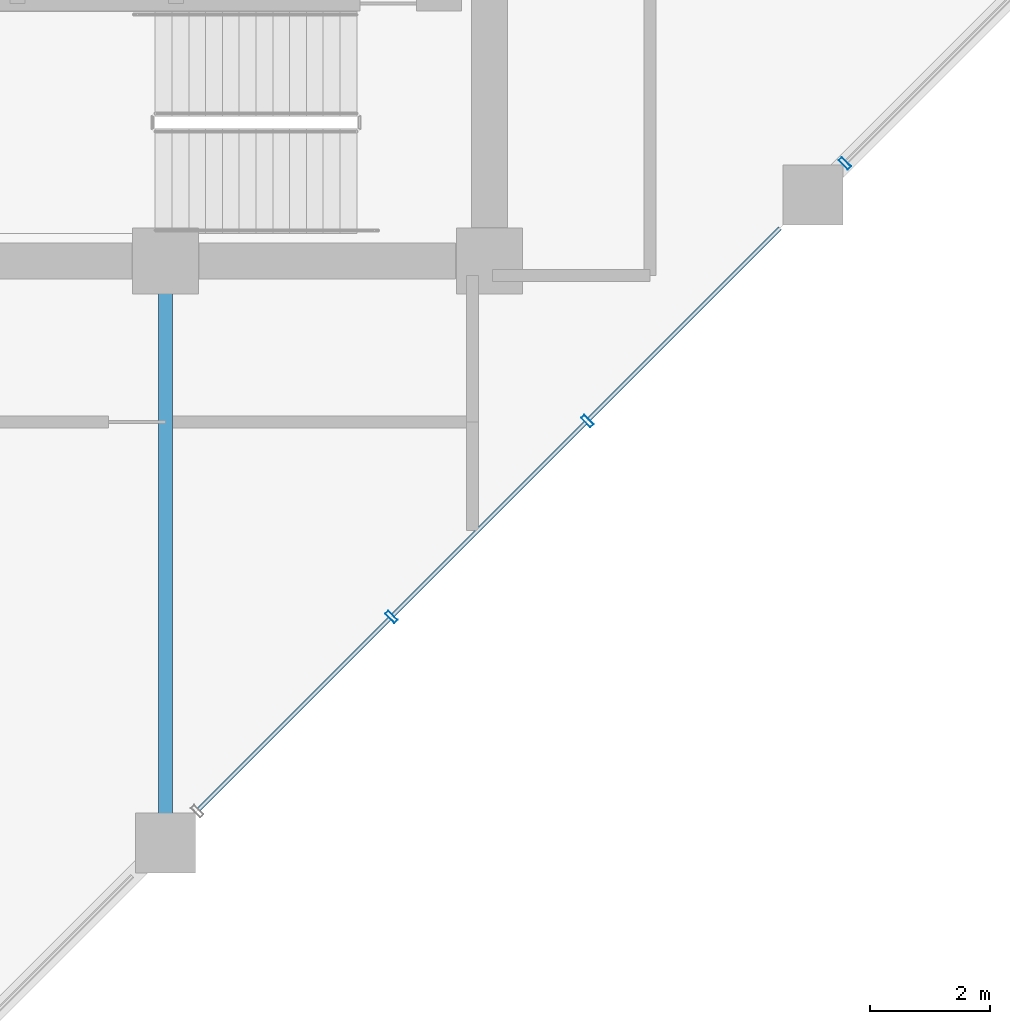
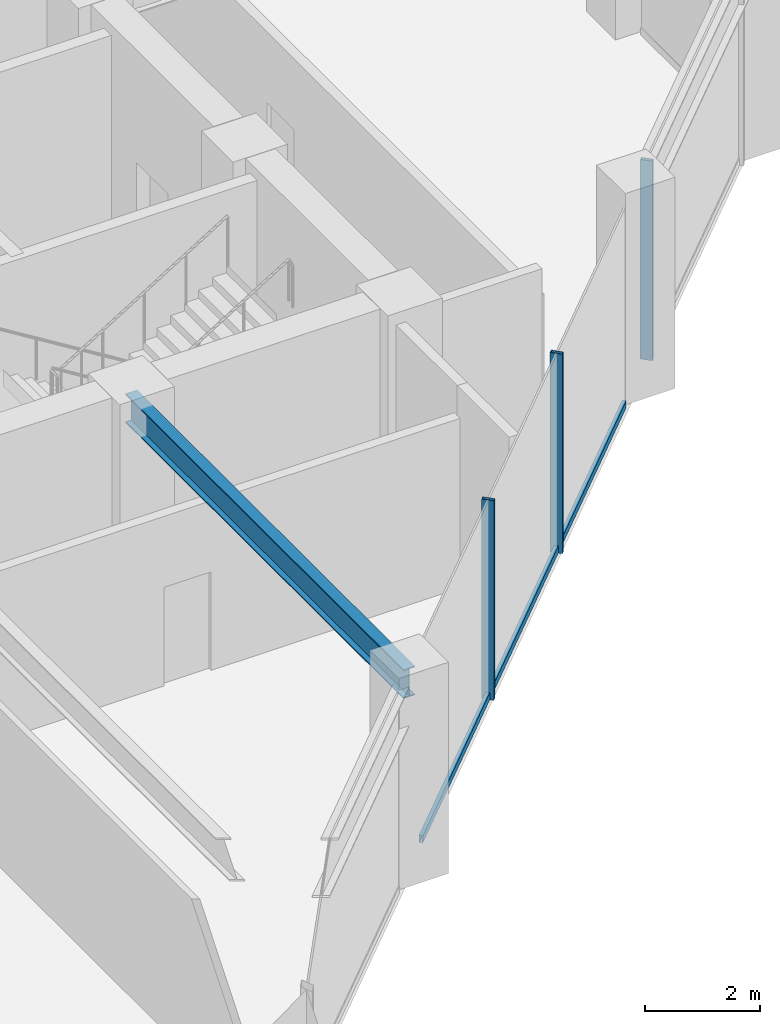
# One storey, part 7 of 25: 6 members, 1 beam, 1 element without a shape of its own.
"""IFC4 building model written with IfcOpenShell, lengths in metres."""

from ifc_helpers import new_model, si_unit, direction, frame, origin, origin_2d, place, context, subcontext, project, spatial, hollow_rectangle, i_section, extrude, material, layer, layer_set, material_profile, profile_set, type_object, element, aggregate, save


model = new_model("IFC4")

# Units and contexts
model_context = context("Model", 3, precision=1e-05, world=origin(), true_north=direction((0.0, 1.0)))
body_context = subcontext(model_context, "Body", "Model", "MODEL_VIEW")
ifc_project = project(units=[si_unit("LENGTHUNIT", "METRE"), si_unit("AREAUNIT", "SQUARE_METRE"), si_unit("VOLUMEUNIT", "CUBIC_METRE"), si_unit("PLANEANGLEUNIT", "RADIAN"), si_unit("MASSUNIT", "GRAM", prefix="KILO")], contexts=[model_context])

# Site, building, storey
site_placement = place(None, origin())
site = spatial("IfcSite", under=ifc_project, at=site_placement, CompositionType="ELEMENT")
building_placement = place(site_placement, origin())
building = spatial("IfcBuilding", under=site, at=building_placement, Name="Surkhivell Harbour Commons", CompositionType="ELEMENT")
storey_placement = place(building_placement, frame((0.0, 0.0, 162.0)))
storey = spatial("IfcBuildingStorey", under=building, at=storey_placement, Name="L42", CompositionType="ELEMENT", Elevation=162.0)

# Beam
ifc_material_1 = material(Name="Steel S355", Category="steel")
ifc_material_profile_1 = material_profile(ifc_material_1, i_section(OverallWidth=0.22998046875, OverallDepth=0.616943359375, WebThickness=0.01318359375, FlangeThickness=0.022216796875, at=origin_2d()), Name="UB610x229x140")
ifc_profile_set_1 = profile_set([ifc_material_profile_1], Name="Steel S355")
beam_type = type_object("IfcBeamType", Name="BM-GRD-610B", PredefinedType="BEAM", material=ifc_profile_set_1)
beam_placement = place(storey_placement, frame((5.39990234375, -20.5, 3.94140625), z_axis=(0.0, 1.0, 0.0), x_axis=(-1.0, 0.0, 0.0)))
element("IfcBeam", 1, at=beam_placement, inside=storey, type_object=beam_type, Name="L42 Floor Girder (5.4,-20.5)", PredefinedType="BEAM", context=body_context, shape_type="SweptSolid", body=[
    extrude(i_section(OverallWidth=0.22998046875, OverallDepth=0.616943359375, WebThickness=0.01318359375, FlangeThickness=0.022216796875, at=origin_2d()), origin(), (0.0, 0.0, 1.0), 9.699951171875),
])

# Curtain wall, members
ifc_material_2 = material(Name="Anodised pale-metal aluminium and insulated glazing", Category="aluminium")
ifc_layer = layer(ifc_material_2, 0.205078125)
ifc_layer_set = layer_set([ifc_layer], Name="Anodised pale-metal aluminium and insulated glazing")
curtain_wall_type = type_object("IfcCurtainWallType", Name="CW-SYS-Z2", PredefinedType="NOTDEFINED", material=ifc_layer_set)
curtain_wall_placement = place(storey_placement, origin())
curtain_wall = element("IfcCurtainWall", 2, at=curtain_wall_placement, inside=storey, type_object=curtain_wall_type, Name="L42 Curtain Wall CW-L42-E01", PredefinedType="NOTDEFINED")
ifc_material_3 = material(Name="Anodised pale-metal aluminium alloy 6063-T6", Category="aluminium")
ifc_material_profile_2 = material_profile(ifc_material_3, hollow_rectangle(XDim=0.074951171875, YDim=0.219970703125, WallThickness=0.00390625, at=origin_2d()), Name="ALU-MULL-75x220")
ifc_profile_set_2 = profile_set([ifc_material_profile_2], Name="Anodised pale-metal aluminium alloy 6063-T6")
member_type_1 = type_object("IfcMemberType", Name="CWM-220", PredefinedType="MULLION", material=ifc_profile_set_2)
member_1_placement = place(storey_placement, frame((9.167236328125, -16.732666015625, 0.0), z_axis=(0.0, 0.0, 1.0), x_axis=(0.707106781187, 0.707106781187, 0.0)))
member_1 = element("IfcMember", 3, at=member_1_placement, type_object=member_type_1, Name="CW-Z2 mullion 3", PredefinedType="MULLION", context=body_context, shape_type="SweptSolid", body=[
    extrude(hollow_rectangle(XDim=0.074951171875, YDim=0.219970703125, WallThickness=0.00390625, at=origin_2d()), origin(), (0.0, 0.0, 1.0), 4.25),
])
member_2_placement = place(storey_placement, frame((12.432861328125, -13.46728515625, 0.0), z_axis=(0.0, 0.0, 1.0), x_axis=(0.707106781187, 0.707106781187, 0.0)))
member_2 = element("IfcMember", 4, at=member_2_placement, type_object=member_type_1, Name="CW-Z2 mullion 4", PredefinedType="MULLION", context=body_context, shape_type="SweptSolid", body=[
    extrude(hollow_rectangle(XDim=0.074951171875, YDim=0.219970703125, WallThickness=0.00390625, at=origin_2d()), origin(), (0.0, 0.0, 1.0), 4.25),
])
member_3_placement = place(storey_placement, frame((16.728271484375, -9.171875, 0.0), z_axis=(0.0, 0.0, 1.0), x_axis=(0.707106781187, 0.707106781187, 0.0)))
member_3 = element("IfcMember", 5, at=member_3_placement, type_object=member_type_1, Name="CW-Z2 mullion 5", PredefinedType="MULLION", context=body_context, shape_type="SweptSolid", body=[
    extrude(hollow_rectangle(XDim=0.074951171875, YDim=0.219970703125, WallThickness=0.00390625, at=origin_2d()), origin(), (0.0, 0.0, 1.0), 4.25),
])
ifc_material_profile_3 = material_profile(ifc_material_3, hollow_rectangle(XDim=0.074951171875, YDim=0.14990234375, WallThickness=0.00341796875, at=origin_2d()), Name="ALU-TRAN-75x150")
ifc_profile_set_3 = profile_set([ifc_material_profile_3], Name="Anodised pale-metal aluminium alloy 6063-T6")
member_type_2 = type_object("IfcMemberType", Name="CWT-150", PredefinedType="USERDEFINED", material=ifc_profile_set_3)
member_4_placement = place(storey_placement, frame((5.954833984375, -19.9453125, 0.074951171875), z_axis=(0.707079687416, 0.707133873919, 0.0), x_axis=(-0.707133873919, 0.707079687416, 0.0)))
member_4 = element("IfcMember", 6, at=member_4_placement, type_object=member_type_2, Name="CW-Z2 transom 2.1", ObjectType="TRANSOM", PredefinedType="USERDEFINED", context=body_context, shape_type="SweptSolid", body=[
    extrude(hollow_rectangle(XDim=0.074951171875, YDim=0.14990234375, WallThickness=0.00341796875, at=origin_2d()), origin(), (0.0, 0.0, 1.0), 4.505615234375),
])
member_5_placement = place(storey_placement, frame((9.19384765625, -16.706298828125, 0.074951171875), z_axis=(0.707079911854, 0.707133649498, 0.0), x_axis=(-0.707133649498, 0.707079911854, 0.0)))
member_5 = element("IfcMember", 7, at=member_5_placement, type_object=member_type_2, Name="CW-Z2 transom 3.1", ObjectType="TRANSOM", PredefinedType="USERDEFINED", context=body_context, shape_type="SweptSolid", body=[
    extrude(hollow_rectangle(XDim=0.074951171875, YDim=0.14990234375, WallThickness=0.00341796875, at=origin_2d()), origin(), (0.0, 0.0, 1.0), 4.543212890625),
])
member_6_placement = place(storey_placement, frame((12.459228515625, -13.440673828125, 0.074951171875), z_axis=(0.707106781187, 0.707106781187, 0.0), x_axis=(-0.707106781187, 0.707106781187, 0.0)))
member_6 = element("IfcMember", 8, at=member_6_placement, type_object=member_type_2, Name="CW-Z2 transom 4.1", ObjectType="TRANSOM", PredefinedType="USERDEFINED", context=body_context, shape_type="SweptSolid", body=[
    extrude(hollow_rectangle(XDim=0.074951171875, YDim=0.14990234375, WallThickness=0.00341796875, at=origin_2d()), origin(), (0.0, 0.0, 1.0), 4.505615234375),
])
aggregate(curtain_wall, [member_1, member_2, member_4, member_5, member_6, member_3])

save(model, "model.ifc")
